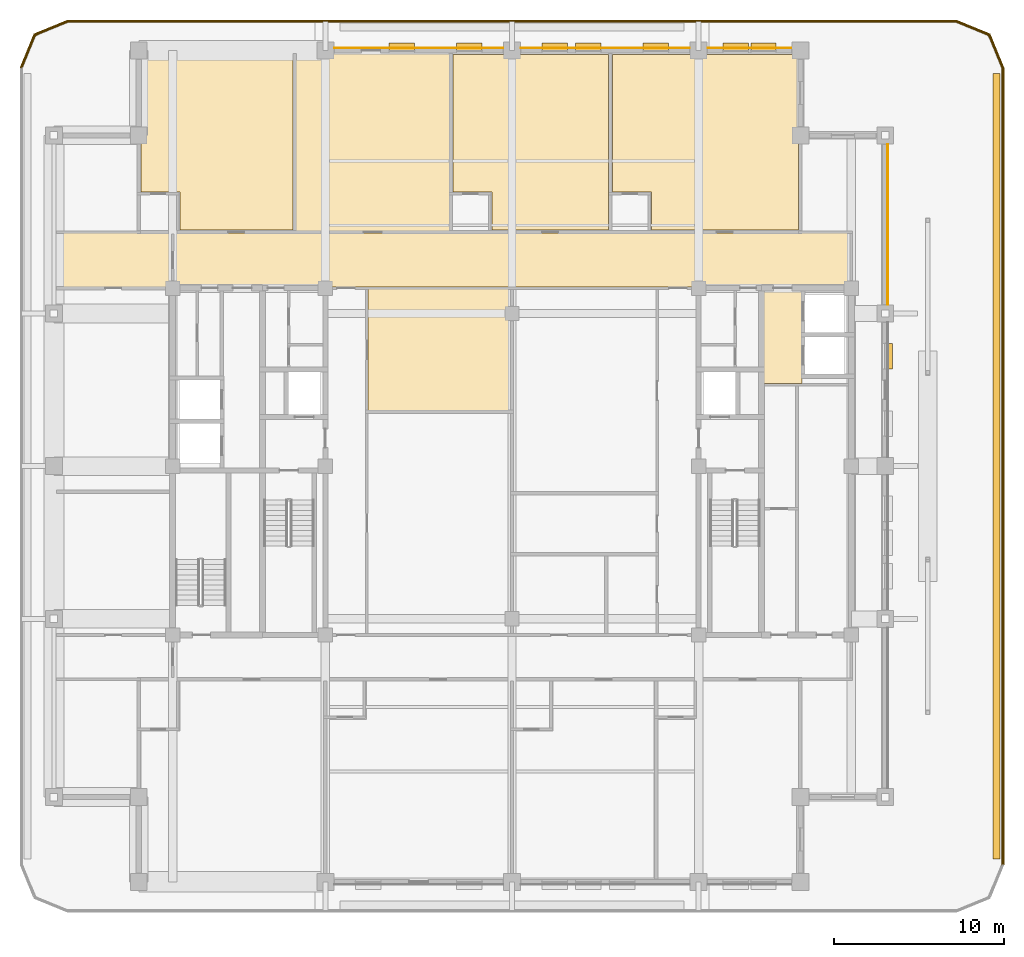
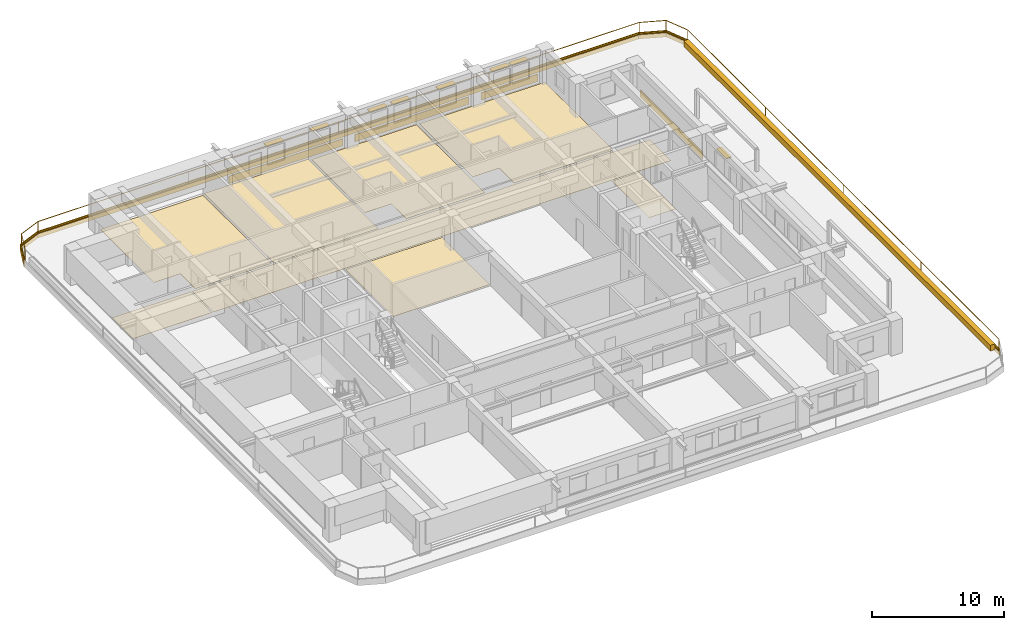
# One storey, part 18 of 18: 19 coverings, 8 shading devices, 2 railings.
"""IFC4 building model written with IfcOpenShell, lengths in metres."""

from ifc_helpers import new_model, si_unit, direction, frame, frame_2d, origin, origin_2d, place, context, subcontext, project, spatial, polyline, rectangle, outline, extrude, material, layer, layer_set, type_object, element, save


model = new_model("IFC4")

# Units and contexts
model_context = context("Model", 3, precision=1e-05, world=origin(), true_north=direction((0.0, 1.0)))
body_context = subcontext(model_context, "Body", "Model", "MODEL_VIEW")
ifc_project = project(units=[si_unit("LENGTHUNIT", "METRE"), si_unit("AREAUNIT", "SQUARE_METRE"), si_unit("VOLUMEUNIT", "CUBIC_METRE"), si_unit("PLANEANGLEUNIT", "RADIAN"), si_unit("MASSUNIT", "GRAM", prefix="KILO")], contexts=[model_context])

# Site, building, storey
site_placement = place(None, origin())
site = spatial("IfcSite", under=ifc_project, at=site_placement, CompositionType="ELEMENT")
building_placement = place(site_placement, origin())
building = spatial("IfcBuilding", under=site, at=building_placement, Name="Zulmaris Gate Convention Tower", CompositionType="ELEMENT")
storey_placement = place(building_placement, frame((0.0, 0.0, 191.4599609375)))
storey = spatial("IfcBuildingStorey", under=building, at=storey_placement, Name="L49", CompositionType="ELEMENT", Elevation=191.4599609375)

# Coverings
ifc_material_1 = material(Name="Precast concrete C40/50", Category="concrete")
ifc_layer_1 = layer(ifc_material_1, 0.0400390625, Name="Precast concrete C40/50")
ifc_layer_set_1 = layer_set([ifc_layer_1], Name="Precast concrete C40/50")
covering_type_1 = type_object("IfcCoveringType", Name="CLAD-SPANDREL-PRECAST", PredefinedType="CLADDING", material=ifc_layer_set_1)
for number, where, z_axis, x_axis, name in (
    (1, (-0.530029296875, 24.64990234375, 0.0), (0.0, 0.0, 1.0), (-1.0, 0.0, 0.0), "CLD-L49-N-1_0"),
    (2, (10.469970703125, 24.64990234375, 0.0), (0.0, 0.0, 1.0), (-1.0, 0.0, 0.0), "CLD-L49-N-2_0"),
):
    element("IfcCovering", number, at=place(storey_placement, frame(where, z_axis=z_axis, x_axis=x_axis)), inside=storey, type_object=covering_type_1, Name=name, PredefinedType="CLADDING", context=body_context, shape_type="SweptSolid", body=[
        extrude(rectangle(XDim=9.93994140625, YDim=0.0400390625, at=frame_2d((4.969970703125, 0.0))), origin(), (0.0, 0.0, 1.0), 0.679931640625),
    ])
covering_1_placement = place(storey_placement, frame((16.469970703125, 24.64990234375, 0.0), z_axis=(0.0, 0.0, 1.0), x_axis=(-1.0, 0.0, 0.0)))
element("IfcCovering", 3, at=covering_1_placement, inside=storey, type_object=covering_type_1, Name="CLD-L49-N-3_0", PredefinedType="CLADDING", context=body_context, shape_type="SweptSolid", body=[
    extrude(rectangle(XDim=4.93994140625, YDim=0.0400390625, at=frame_2d((2.469970703125, 0.0))), origin(), (0.0, 0.0, 1.0), 0.679931640625),
])
covering_2_placement = place(storey_placement, frame((22.14990234375, 9.530029296875, 0.0), z_axis=(0.0, 0.0, 1.0), x_axis=(0.0, 1.0, 0.0)))
element("IfcCovering", 4, at=covering_2_placement, inside=storey, type_object=covering_type_1, Name="CLD-L49-E-3_0", PredefinedType="CLADDING", context=body_context, shape_type="SweptSolid", body=[
    extrude(rectangle(XDim=9.43994140625, YDim=0.0400390625, at=frame_2d((4.719970703125, 0.0))), origin(), (0.0, 0.0, 1.0), 0.679931640625),
])
ifc_material_2 = material(Name="White Glazed Architectural Precast Concrete C40/50", Category="concrete")
ifc_layer_2 = layer(ifc_material_2, 0.080078125, Name="White Glazed Architectural Precast Concrete C40/50")
ifc_layer_set_2 = layer_set([ifc_layer_2], Name="White Glazed Architectural Precast Concrete C40/50")
covering_type_2 = type_object("IfcCoveringType", Name="CLAD-TRAY-FASCIA", PredefinedType="CLADDING", material=ifc_layer_set_2)
covering_3_placement = place(storey_placement, frame((28.9599609375, -23.5, -0.46484375), z_axis=(0.0, 0.0, 1.0), x_axis=(0.0, 1.0, 0.0)))
element("IfcCovering", 5, at=covering_3_placement, inside=storey, type_object=covering_type_2, Name="FSC-L49-TR-05", PredefinedType="CLADDING", context=body_context, shape_type="SweptSolid", body=[
    extrude(rectangle(XDim=47.0, YDim=0.080078125, at=frame_2d((23.5, 0.0))), origin(), (0.0, 0.0, 1.0), 0.5849609375),
])
covering_4_placement = place(storey_placement, frame((28.962890625, 23.484619140625, -0.46484375), z_axis=(0.0, 0.0, 1.0), x_axis=(-0.382656984709, 0.923890487046, 0.0)))
element("IfcCovering", 6, at=covering_4_placement, inside=storey, type_object=covering_type_2, Name="FSC-L49-TR-06", PredefinedType="CLADDING", context=body_context, shape_type="SweptSolid", body=[
    extrude(rectangle(XDim=2.14306640625, YDim=0.080078125, at=frame_2d((1.071533203125, 0.0))), origin(), (0.0, 0.0, 1.0), 0.5849609375),
])
covering_5_placement = place(storey_placement, frame((28.16455078125, 25.44287109375, -0.46484375), z_axis=(0.0, 0.0, 1.0), x_axis=(-0.923873803533, 0.382697263049, 0.0)))
element("IfcCovering", 7, at=covering_5_placement, inside=storey, type_object=covering_type_2, Name="FSC-L49-TR-07", PredefinedType="CLADDING", context=body_context, shape_type="SweptSolid", body=[
    extrude(rectangle(XDim=2.142822265625, YDim=0.080078125, at=frame_2d((1.0712890625, 0.0))), origin(), (0.0, 0.0, 1.0), 0.5849609375),
])
covering_6_placement = place(storey_placement, frame((26.199951171875, 26.260009765625, -0.46484375), z_axis=(0.0, 0.0, 1.0), x_axis=(-1.0, 0.0, 0.0)))
element("IfcCovering", 8, at=covering_6_placement, inside=storey, type_object=covering_type_2, Name="FSC-L49-TR-08", PredefinedType="CLADDING", context=body_context, shape_type="SweptSolid", body=[
    extrude(rectangle(XDim=52.39990234375, YDim=0.080078125, at=frame_2d((26.199951171875, 0.0))), origin(), (0.0, 0.0, 1.0), 0.5849609375),
])
covering_7_placement = place(storey_placement, frame((-26.184814453125, 26.262939453125, -0.46484375), z_axis=(0.0, 0.0, 1.0), x_axis=(-0.923873803533, -0.382697263049, 0.0)))
element("IfcCovering", 9, at=covering_7_placement, inside=storey, type_object=covering_type_2, Name="FSC-L49-TR-09", PredefinedType="CLADDING", context=body_context, shape_type="SweptSolid", body=[
    extrude(rectangle(XDim=2.142822265625, YDim=0.080078125, at=frame_2d((1.0712890625, 0.0))), origin(), (0.0, 0.0, 1.0), 0.5849609375),
])
covering_8_placement = place(storey_placement, frame((-28.142822265625, 25.464599609375, -0.46484375), z_axis=(0.0, 0.0, 1.0), x_axis=(-0.382656984709, -0.923890487046, 0.0)))
element("IfcCovering", 10, at=covering_8_placement, inside=storey, type_object=covering_type_2, Name="FSC-L49-TR-10", PredefinedType="CLADDING", context=body_context, shape_type="SweptSolid", body=[
    extrude(rectangle(XDim=2.14306640625, YDim=0.080078125, at=frame_2d((1.071533203125, 0.0))), origin(), (0.0, 0.0, 1.0), 0.5849609375),
])
ifc_material_3 = material(Name="Woven Acoustic Wool Carpet Tile")
ifc_layer_3 = layer(ifc_material_3, 0.02001953125, Name="Woven Acoustic Wool Carpet Tile")
ifc_layer_set_3 = layer_set([ifc_layer_3], Name="Woven Acoustic Wool Carpet Tile")
covering_type_3 = type_object("IfcCoveringType", Name="FLR-CARPET-12", PredefinedType="FLOORING", material=ifc_layer_set_3)
covering_9_placement = place(storey_placement, origin())
element("IfcCovering", 11, at=covering_9_placement, inside=storey, type_object=covering_type_3, Name="FLR-L49-R26", PredefinedType="FLOORING", context=body_context, shape_type="SweptSolid", body=[
    extrude(outline(polyline([(14.760009765625, 4.860107421875), (17.090087890625, 4.860107421875), (17.090087890625, 10.43994140625), (14.760009765625, 10.43994140625), (14.760009765625, 4.860107421875)])), origin(), (0.0, 0.0, 1.0), 0.02001953125),
])
covering_10_placement = place(storey_placement, origin())
element("IfcCovering", 12, at=covering_10_placement, inside=storey, type_object=covering_type_3, Name="FLR-L49-R33", PredefinedType="FLOORING", context=body_context, shape_type="SweptSolid", body=[
    extrude(outline(polyline([(-19.93994140625, 10.56005859375), (19.93994140625, 10.56005859375), (19.93994140625, 13.739990234375), (-19.93994140625, 13.739990234375), (-19.93994140625, 10.56005859375)])), origin(), (0.0, 0.0, 1.0), 0.02001953125),
])
covering_11_placement = place(storey_placement, origin())
element("IfcCovering", 13, at=covering_11_placement, inside=storey, type_object=covering_type_3, Name="FLR-L49-R58", PredefinedType="FLOORING", context=body_context, shape_type="SweptSolid", body=[
    extrude(outline(polyline([(-26.93994140625, 10.56005859375), (-20.06005859375, 10.56005859375), (-20.06005859375, 13.739990234375), (-26.93994140625, 13.739990234375), (-26.93994140625, 10.56005859375)])), origin(), (0.0, 0.0, 1.0), 0.02001953125),
])
ifc_material_4 = material(Name="Engineered Teak Parquet Flooring")
ifc_layer_4 = layer(ifc_material_4, 0.02001953125, Name="Engineered Teak Parquet Flooring")
ifc_layer_set_4 = layer_set([ifc_layer_4], Name="Engineered Teak Parquet Flooring")
covering_type_4 = type_object("IfcCoveringType", Name="FLR-TIMBER-18", PredefinedType="FLOORING", material=ifc_layer_set_4)
covering_12_placement = place(storey_placement, origin())
element("IfcCovering", 14, at=covering_12_placement, inside=storey, type_object=covering_type_4, Name="FLR-L49-R38", PredefinedType="FLOORING", context=body_context, shape_type="SweptSolid", body=[
    extrude(outline(polyline([(-19.580078125, 13.919921875), (-12.919921875, 13.919921875), (-12.919921875, 24.260009765625), (-21.8798828125, 24.260009765625), (-21.8798828125, 16.169921875), (-19.580078125, 16.169921875), (-19.580078125, 13.919921875)])), origin(), (0.0, 0.0, 1.0), 0.02001953125),
])
covering_13_placement = place(storey_placement, origin())
element("IfcCovering", 15, at=covering_13_placement, inside=storey, type_object=covering_type_4, Name="FLR-L49-R39", PredefinedType="FLOORING", context=body_context, shape_type="SweptSolid", body=[
    extrude(outline(polyline([(-12.739990234375, 13.860107421875), (-3.659912109375, 13.860107421875), (-3.659912109375, 24.43994140625), (-12.739990234375, 24.43994140625), (-12.739990234375, 13.860107421875)])), origin(), (0.0, 0.0, 1.0), 0.02001953125),
])
covering_14_placement = place(storey_placement, origin())
element("IfcCovering", 16, at=covering_14_placement, inside=storey, type_object=covering_type_4, Name="FLR-L49-R41", PredefinedType="FLOORING", context=body_context, shape_type="SweptSolid", body=[
    extrude(outline(polyline([(-1.179931640625, 13.919921875), (5.679931640625, 13.919921875), (5.679931640625, 24.260009765625), (-3.47998046875, 24.260009765625), (-3.47998046875, 16.169921875), (-1.179931640625, 16.169921875), (-1.179931640625, 13.919921875)])), origin(), (0.0, 0.0, 1.0), 0.02001953125),
])
covering_15_placement = place(storey_placement, origin())
element("IfcCovering", 17, at=covering_15_placement, inside=storey, type_object=covering_type_4, Name="FLR-L49-R43", PredefinedType="FLOORING", context=body_context, shape_type="SweptSolid", body=[
    extrude(outline(polyline([(8.219970703125, 13.919921875), (16.8798828125, 13.919921875), (16.8798828125, 24.260009765625), (5.919921875, 24.260009765625), (5.919921875, 16.169921875), (8.219970703125, 16.169921875), (8.219970703125, 13.919921875)])), origin(), (0.0, 0.0, 1.0), 0.02001953125),
])
covering_16_placement = place(storey_placement, origin())
element("IfcCovering", 18, at=covering_16_placement, inside=storey, type_object=covering_type_4, Name="FLR-L49-R52", PredefinedType="FLOORING", context=body_context, shape_type="SweptSolid", body=[
    extrude(outline(polyline([(-8.489990234375, 3.260009765625), (-0.06005859375, 3.260009765625), (-0.06005859375, 10.43994140625), (-8.489990234375, 10.43994140625), (-8.489990234375, 3.260009765625)])), origin(), (0.0, 0.0, 1.0), 0.02001953125),
])
ifc_material_5 = material(Name="Botanical Green Glazed Precast Concrete C40/50", Category="concrete")
ifc_layer_5 = layer(ifc_material_5, 0.419921875, Name="Botanical Green Glazed Precast Concrete C40/50")
ifc_layer_set_5 = layer_set([ifc_layer_5], Name="Botanical Green Glazed Precast Concrete C40/50")
covering_type_5 = type_object("IfcCoveringType", Name="PLANTER-BOX-200", PredefinedType="CLADDING", material=ifc_layer_set_5)
covering_17_placement = place(storey_placement, frame((0.0, 0.0, -0.0400390625)))
element("IfcCovering", 19, at=covering_17_placement, inside=storey, type_object=covering_type_5, Name="L49 E Full-Length Balcony Tree Planter Trough", PredefinedType="CLADDING", context=body_context, shape_type="SweptSolid", body=[
    extrude(outline(polyline([(28.340087890625, -23.14990234375), (28.760009765625, -23.14990234375), (28.760009765625, 23.14990234375), (28.340087890625, 23.14990234375), (28.340087890625, -23.14990234375)])), origin(), (0.0, 0.0, 1.0), 0.52001953125),
])

# Railings
ifc_material_6 = material(Name="Laminated Glass and Stainless Steel", Category="steel")
railing_type = type_object("IfcRailingType", Name="RL-BALC-1150", PredefinedType="BALUSTRADE", material=ifc_material_6)
railing_1_placement = place(storey_placement, frame((28.8798828125, -23.5, -0.0400390625)))
element("IfcRailing", 20, at=railing_1_placement, inside=storey, type_object=railing_type, Name="RL-L49-BALC-E", PredefinedType="BALUSTRADE", context=body_context, shape_type="SweptSolid", body=[
    extrude(rectangle(XDim=0.048095703125, YDim=0.048095703125, at=origin_2d()), frame((0.0, 0.0, 1.1259765625), z_axis=(0.0, 1.0, 0.0), x_axis=(-1.0, 0.0, 0.0)), (0.0, 0.0, 1.0), 47.0),
    extrude(rectangle(XDim=0.048095703125, YDim=0.048095703125, at=origin_2d()), frame((0.0, 0.0, 0.02392578125), z_axis=(0.0, 1.0, 0.0), x_axis=(-1.0, 0.0, 0.0)), (0.0, 0.0, 1.0), 47.0),
    extrude(rectangle(XDim=0.0419921875, YDim=0.0419921875, at=origin_2d()), origin(), (0.0, 0.0, 1.0), 1.101806640625),
    extrude(rectangle(XDim=0.0419921875, YDim=0.0419921875, at=origin_2d()), frame((0.0, 11.75, 0.0)), (0.0, 0.0, 1.0), 1.101806640625),
    extrude(rectangle(XDim=0.0419921875, YDim=0.0419921875, at=origin_2d()), frame((0.0, 23.5, 0.0)), (0.0, 0.0, 1.0), 1.101806640625),
    extrude(rectangle(XDim=0.0419921875, YDim=0.0419921875, at=origin_2d()), frame((0.0, 35.25, 0.0)), (0.0, 0.0, 1.0), 1.101806640625),
    extrude(rectangle(XDim=0.0419921875, YDim=0.0419921875, at=origin_2d()), frame((0.0, 47.0, 0.0)), (0.0, 0.0, 1.0), 1.101806640625),
])
railing_2_placement = place(storey_placement, frame((28.8798828125, 23.5, -0.0400390625)))
element("IfcRailing", 21, at=railing_2_placement, inside=storey, type_object=railing_type, Name="RL-L49-BALC-N", PredefinedType="BALUSTRADE", context=body_context, shape_type="SweptSolid", body=[
    extrude(rectangle(XDim=0.048095703125, YDim=0.048095703125, at=origin_2d()), frame((0.0, 0.0, 1.1259765625), z_axis=(-0.382670664694, 0.92388482095, 0.0), x_axis=(-0.92388482095, -0.382670664694, 0.0)), (0.0, 0.0, 1.0), 2.051025390625),
    extrude(rectangle(XDim=0.048095703125, YDim=0.048095703125, at=origin_2d()), frame((0.0, 0.0, 0.02392578125), z_axis=(-0.382670664694, 0.92388482095, 0.0), x_axis=(-0.92388482095, -0.382670664694, 0.0)), (0.0, 0.0, 1.0), 2.051025390625),
    extrude(rectangle(XDim=0.048095703125, YDim=0.048095703125, at=origin_2d()), frame((-0.784912109375, 1.89501953125, 1.1259765625), z_axis=(-0.92388482095, 0.382670664694, 0.0), x_axis=(-0.382670664694, -0.92388482095, 0.0)), (0.0, 0.0, 1.0), 2.051025390625),
    extrude(rectangle(XDim=0.048095703125, YDim=0.048095703125, at=origin_2d()), frame((-0.784912109375, 1.89501953125, 0.02392578125), z_axis=(-0.92388482095, 0.382670664694, 0.0), x_axis=(-0.382670664694, -0.92388482095, 0.0)), (0.0, 0.0, 1.0), 2.051025390625),
    extrude(rectangle(XDim=0.048095703125, YDim=0.048095703125, at=origin_2d()), frame((-2.679931640625, 2.679931640625, 1.1259765625), z_axis=(-1.0, 0.0, 0.0), x_axis=(0.0, -1.0, 0.0)), (0.0, 0.0, 1.0), 52.39990234375),
    extrude(rectangle(XDim=0.048095703125, YDim=0.048095703125, at=origin_2d()), frame((-2.679931640625, 2.679931640625, 0.02392578125), z_axis=(-1.0, 0.0, 0.0), x_axis=(0.0, -1.0, 0.0)), (0.0, 0.0, 1.0), 52.39990234375),
    extrude(rectangle(XDim=0.048095703125, YDim=0.048095703125, at=origin_2d()), frame((-55.079833984375, 2.679931640625, 1.1259765625), z_axis=(-0.92388482095, -0.382670664694, 0.0), x_axis=(0.382670664694, -0.92388482095, 0.0)), (0.0, 0.0, 1.0), 2.051025390625),
    extrude(rectangle(XDim=0.048095703125, YDim=0.048095703125, at=origin_2d()), frame((-55.079833984375, 2.679931640625, 0.02392578125), z_axis=(-0.92388482095, -0.382670664694, 0.0), x_axis=(0.382670664694, -0.92388482095, 0.0)), (0.0, 0.0, 1.0), 2.051025390625),
    extrude(rectangle(XDim=0.048095703125, YDim=0.048095703125, at=origin_2d()), frame((-56.974853515625, 1.89501953125, 1.1259765625), z_axis=(-0.382670664694, -0.92388482095, 0.0), x_axis=(0.92388482095, -0.382670664694, 0.0)), (0.0, 0.0, 1.0), 2.051025390625),
    extrude(rectangle(XDim=0.048095703125, YDim=0.048095703125, at=origin_2d()), frame((-56.974853515625, 1.89501953125, 0.02392578125), z_axis=(-0.382670664694, -0.92388482095, 0.0), x_axis=(0.92388482095, -0.382670664694, 0.0)), (0.0, 0.0, 1.0), 2.051025390625),
    extrude(rectangle(XDim=0.0419921875, YDim=0.0419921875, at=origin_2d()), origin(), (0.0, 0.0, 1.0), 1.101806640625),
    extrude(rectangle(XDim=0.0419921875, YDim=0.0419921875, at=origin_2d()), frame((-0.784912109375, 1.89501953125, 0.0)), (0.0, 0.0, 1.0), 1.101806640625),
    extrude(rectangle(XDim=0.0419921875, YDim=0.0419921875, at=origin_2d()), frame((-2.679931640625, 2.679931640625, 0.0)), (0.0, 0.0, 1.0), 1.101806640625),
    extrude(rectangle(XDim=0.0419921875, YDim=0.0419921875, at=origin_2d()), frame((-15.77978515625, 2.679931640625, 0.0)), (0.0, 0.0, 1.0), 1.101806640625),
    extrude(rectangle(XDim=0.0419921875, YDim=0.0419921875, at=origin_2d()), frame((-28.8798828125, 2.679931640625, 0.0)), (0.0, 0.0, 1.0), 1.101806640625),
    extrude(rectangle(XDim=0.0419921875, YDim=0.0419921875, at=origin_2d()), frame((-41.97998046875, 2.679931640625, 0.0)), (0.0, 0.0, 1.0), 1.101806640625),
    extrude(rectangle(XDim=0.0419921875, YDim=0.0419921875, at=origin_2d()), frame((-55.079833984375, 2.679931640625, 0.0)), (0.0, 0.0, 1.0), 1.101806640625),
    extrude(rectangle(XDim=0.0419921875, YDim=0.0419921875, at=origin_2d()), frame((-56.974853515625, 1.89501953125, 0.0)), (0.0, 0.0, 1.0), 1.101806640625),
    extrude(rectangle(XDim=0.0419921875, YDim=0.0419921875, at=origin_2d()), frame((-57.759765625, 0.0, 0.0)), (0.0, 0.0, 1.0), 1.101806640625),
])

# Shading devices
ifc_material_7 = material(Name="Glazed Ceramic Terracotta", Category="masonry")
ifc_layer_6 = layer(ifc_material_7, 0.070068359375, Name="Glazed Ceramic Terracotta")
ifc_layer_set_6 = layer_set([ifc_layer_6], Name="Glazed Ceramic Terracotta")
shading_device_type = type_object("IfcShadingDeviceType", Name="SHD-SUNSHADE-TC", PredefinedType="AWNING", material=ifc_layer_set_6)
for number, where, z_axis, x_axis, name in (
    (22, (-1.76806640625, 24.719970703125, 2.35009765625), (0.0, 0.0, 1.0), (-1.0, 0.0, 0.0), "SHD-EW-L49-N-1_0-1"),
    (23, (-5.743896484375, 24.719970703125, 2.35009765625), (0.0, 0.0, 1.0), (-1.0, 0.0, 0.0), "SHD-EW-L49-N-1_0-3"),
    (24, (9.23193359375, 24.719970703125, 2.35009765625), (0.0, 0.0, 1.0), (-1.0, 0.0, 0.0), "SHD-EW-L49-N-2_0-1"),
    (25, (5.256103515625, 24.719970703125, 2.35009765625), (0.0, 0.0, 1.0), (-1.0, 0.0, 0.0), "SHD-EW-L49-N-2_0-3"),
    (26, (3.26806640625, 24.719970703125, 2.35009765625), (0.0, 0.0, 1.0), (-1.0, 0.0, 0.0), "SHD-EW-L49-N-2_0-4"),
    (27, (15.572998046875, 24.719970703125, 2.35009765625), (0.0, 0.0, 1.0), (-1.0, 0.0, 0.0), "SHD-EW-L49-N-3_0-1"),
    (28, (13.927001953125, 24.719970703125, 2.35009765625), (0.0, 0.0, 1.0), (-1.0, 0.0, 0.0), "SHD-EW-L49-N-3_0-2"),
    (29, (22.219970703125, 5.735107421875, 2.35009765625), (0.0, 0.0, 1.0), (0.0, 1.0, 0.0), "SHD-EW-L49-E-2_0-3"),
):
    element("IfcShadingDevice", number, at=place(storey_placement, frame(where, z_axis=z_axis, x_axis=x_axis)), inside=storey, type_object=shading_device_type, Name=name, PredefinedType="AWNING", context=body_context, shape_type="SweptSolid", body=[
        extrude(rectangle(XDim=1.5, YDim=0.43994140625, at=frame_2d((0.75, 0.0))), origin(), (0.0, 0.0, 1.0), 0.06982421875),
    ])

save(model, "model.ifc")
